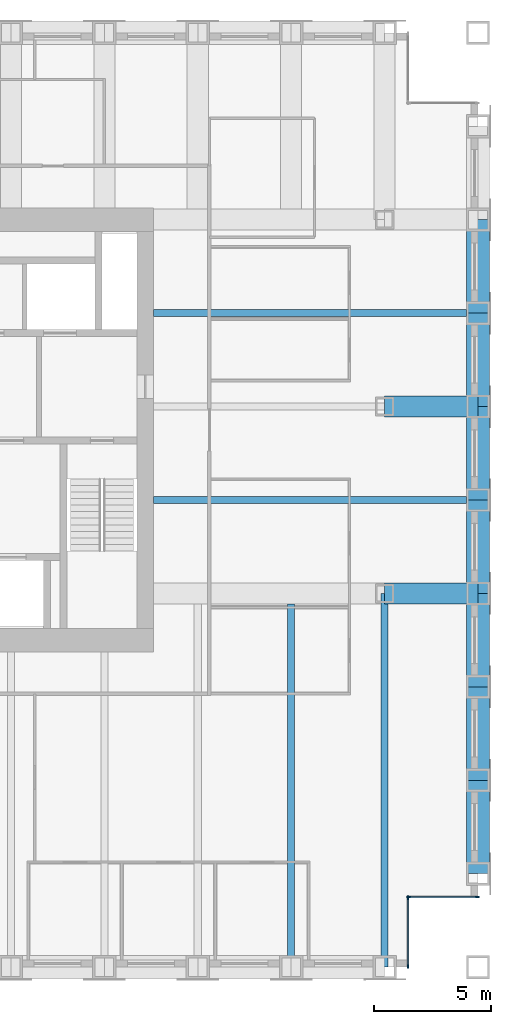
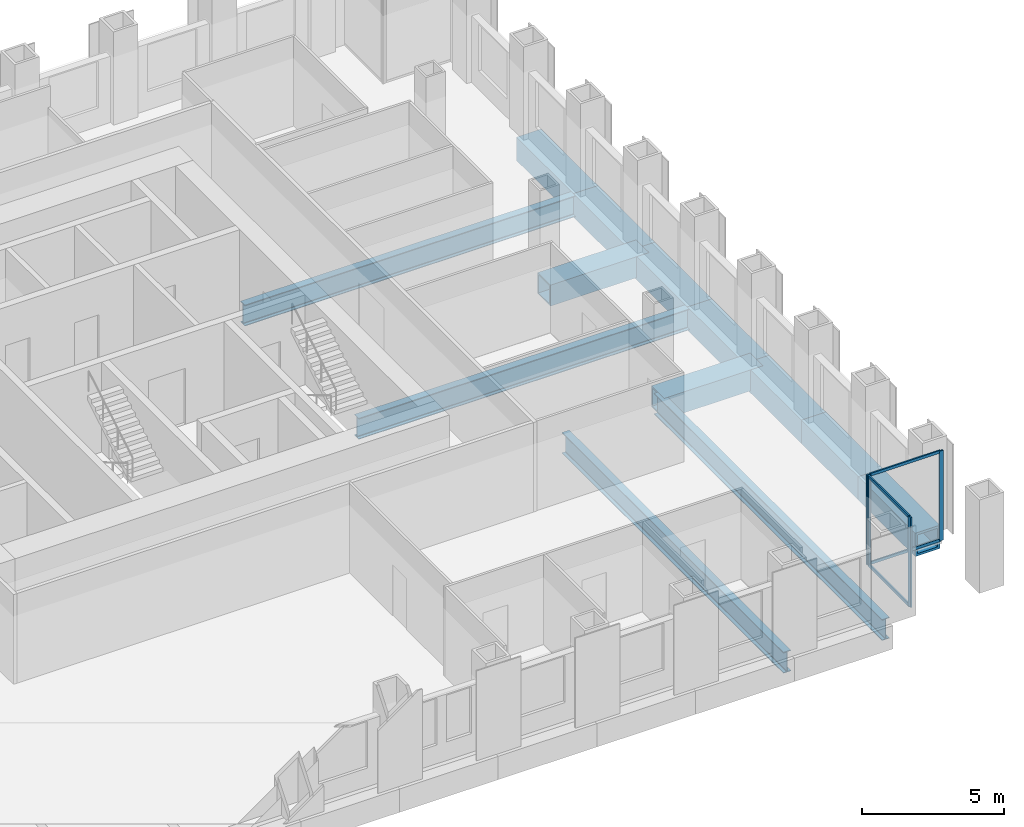
# One storey, part 4 of 11: 13 beams, 8 members, 2 elements without a shape of their own.
"""IFC4 building model written with IfcOpenShell, lengths in metres."""

from ifc_helpers import new_model, si_unit, direction, frame, origin, origin_2d, place, context, subcontext, project, spatial, rectangle, hollow_rectangle, i_section, extrude, material, material_profile, profile_set, type_object, element, aggregate, save


model = new_model("IFC4")

# Units and contexts
model_context = context("Model", 3, precision=1e-05, world=origin(), true_north=direction((0.0, 1.0)))
body_context = subcontext(model_context, "Body", "Model", "MODEL_VIEW")
ifc_project = project(units=[si_unit("LENGTHUNIT", "METRE"), si_unit("AREAUNIT", "SQUARE_METRE"), si_unit("VOLUMEUNIT", "CUBIC_METRE"), si_unit("PLANEANGLEUNIT", "RADIAN"), si_unit("MASSUNIT", "GRAM", prefix="KILO")], contexts=[model_context])

# Site, building, storey
site_placement = place(None, origin())
site = spatial("IfcSite", under=ifc_project, at=site_placement, CompositionType="ELEMENT")
building_placement = place(site_placement, origin())
building = spatial("IfcBuilding", under=site, at=building_placement, Name="Rimbunsela Tower", CompositionType="ELEMENT")
storey_placement = place(building_placement, frame((0.0, 0.0, 246.199951171875)))
storey = spatial("IfcBuildingStorey", under=building, at=storey_placement, Name="L59", CompositionType="ELEMENT", Elevation=246.199951171875)

# Beams
ifc_material_1 = material(Name="Steel BJ 55 (fy 410 MPa)", Category="steel")
ifc_material_profile_1 = material_profile(ifc_material_1, hollow_rectangle(XDim=1.0, YDim=1.0, WallThickness=0.10009765625, at=origin_2d()), Name="BOX 1000x1000x100")
ifc_profile_set_1 = profile_set([ifc_material_profile_1], Name="Steel BJ 55 (fy 410 MPa)")
beam_type_1 = type_object("IfcBeamType", Name="Beam BOX 1000x1000x100", PredefinedType="BEAM", material=ifc_profile_set_1)
for number, where, z_axis, x_axis, name in (
    (1, (50.0, 8.0, -0.64990234375), (0.0, 1.0, 0.0), (-1.0, 0.0, 0.0), "Beam B3 L59"),
    (2, (50.0, 12.0, -0.64990234375), (0.0, 1.0, 0.0), (-1.0, 0.0, 0.0), "Beam B3 L59"),
    (3, (50.0, 16.0, -0.64990234375), (0.0, 1.0, 0.0), (-1.0, 0.0, 0.0), "Beam B3 L59"),
    (4, (50.0, 20.0, -0.64990234375), (0.0, 1.0, 0.0), (-1.0, 0.0, 0.0), "Beam B3 L59"),
    (5, (50.0, 24.0, -0.64990234375), (0.0, 1.0, 0.0), (-1.0, 0.0, 0.0), "Beam B3 L59"),
    (6, (50.0, 28.0, -0.64990234375), (0.0, 1.0, 0.0), (-1.0, 0.0, 0.0), "Beam B3 L59"),
    (7, (50.0, 32.0, -0.64990234375), (0.0, 1.0, 0.0), (-1.0, 0.0, 0.0), "Beam B3 L59"),
):
    element("IfcBeam", number, at=place(storey_placement, frame(where, z_axis=z_axis, x_axis=x_axis)), inside=storey, type_object=beam_type_1, Name=name, PredefinedType="BEAM", context=body_context, shape_type="SweptSolid", body=[
        extrude(hollow_rectangle(XDim=1.0, YDim=1.0, WallThickness=0.10009765625, at=origin_2d()), origin(), (0.0, 0.0, 1.0), 4.0),
    ])
ifc_material_2 = material(Name="Steel BJ 55 (fy 410 MPa)", Category="steel")
ifc_material_profile_2 = material_profile(ifc_material_2, hollow_rectangle(XDim=0.89990234375, YDim=0.89990234375, WallThickness=0.06005859375, at=origin_2d()), Name="BOX 900x900x60")
ifc_profile_set_2 = profile_set([ifc_material_profile_2], Name="Steel BJ 55 (fy 410 MPa)")
beam_type_2 = type_object("IfcBeamType", Name="Beam BOX 900x900x60", PredefinedType="BEAM", material=ifc_profile_set_2)
for number, where, z_axis, x_axis, name in (
    (8, (46.0, 20.0, -0.599853515625), (1.0, 0.0, 0.0), (0.0, 1.0, 0.0), "Beam B1 L59"),
    (9, (46.0, 28.0, -0.599853515625), (1.0, 0.0, 0.0), (0.0, 1.0, 0.0), "Beam B1 L59"),
):
    element("IfcBeam", number, at=place(storey_placement, frame(where, z_axis=z_axis, x_axis=x_axis)), inside=storey, type_object=beam_type_2, Name=name, PredefinedType="BEAM", context=body_context, shape_type="SweptSolid", body=[
        extrude(hollow_rectangle(XDim=0.89990234375, YDim=0.89990234375, WallThickness=0.06005859375, at=origin_2d()), origin(), (0.0, 0.0, 1.0), 4.0),
    ])
ifc_material_3 = material(Name="Steel BJ 55 (fy 410 MPa)", Category="steel")
ifc_material_profile_3 = material_profile(ifc_material_3, i_section(OverallWidth=0.300048828125, OverallDepth=0.89990234375, WebThickness=0.01611328125, FlangeThickness=0.028076171875, FilletRadius=0.028076171875, at=origin_2d()), Name="H 900x300x16x28")
ifc_profile_set_3 = profile_set([ifc_material_profile_3], Name="Steel BJ 55 (fy 410 MPa)")
beam_type_3 = type_object("IfcBeamType", Name="Beam H 900x300x16x28", PredefinedType="BEAM", material=ifc_profile_set_3)
for number, where, z_axis, x_axis, name in (
    (10, (36.10009765625, 24.0, -0.599853515625), (1.0, 0.0, 0.0), (0.0, 1.0, 0.0), "Beam B2 L59"),
    (11, (36.10009765625, 32.0, -0.599853515625), (1.0, 0.0, 0.0), (0.0, 1.0, 0.0), "Beam B2 L59"),
):
    element("IfcBeam", number, at=place(storey_placement, frame(where, z_axis=z_axis, x_axis=x_axis)), inside=storey, type_object=beam_type_3, Name=name, PredefinedType="BEAM", context=body_context, shape_type="SweptSolid", body=[
        extrude(i_section(OverallWidth=0.300048828125, OverallDepth=0.89990234375, WebThickness=0.01611328125, FlangeThickness=0.028076171875, FilletRadius=0.028076171875, at=origin_2d()), origin(), (0.0, 0.0, 1.0), 13.89990234375),
    ])
beam_1_placement = place(storey_placement, frame((42.0, 4.0, -0.599853515625), z_axis=(0.0, 1.0, 0.0), x_axis=(-1.0, 0.0, 0.0)))
element("IfcBeam", 12, at=beam_1_placement, inside=storey, type_object=beam_type_3, Name="Beam B2 L59", PredefinedType="BEAM", context=body_context, shape_type="SweptSolid", body=[
    extrude(i_section(OverallWidth=0.300048828125, OverallDepth=0.89990234375, WebThickness=0.01611328125, FlangeThickness=0.028076171875, FilletRadius=0.028076171875, at=origin_2d()), origin(), (0.0, 0.0, 1.0), 15.550048828125),
])
beam_2_placement = place(storey_placement, frame((46.0, 4.0, -0.599853515625), z_axis=(0.0, 1.0, 0.0), x_axis=(-1.0, 0.0, 0.0)))
element("IfcBeam", 13, at=beam_2_placement, inside=storey, type_object=beam_type_3, Name="Beam B2 L59", PredefinedType="BEAM", context=body_context, shape_type="SweptSolid", body=[
    extrude(i_section(OverallWidth=0.300048828125, OverallDepth=0.89990234375, WebThickness=0.01611328125, FlangeThickness=0.028076171875, FilletRadius=0.028076171875, at=origin_2d()), origin(), (0.0, 0.0, 1.0), 16.0),
])

# Curtain wall, members
ifc_material_4 = material(Name="Aluminium curtain wall", Category="aluminium")
curtain_wall_type = type_object("IfcCurtainWallType", Name="Corner glazing", PredefinedType="USERDEFINED", material=ifc_material_4)
curtain_wall_1_placement = place(storey_placement, origin())
curtain_wall_1 = element("IfcCurtainWall", 14, at=curtain_wall_1_placement, inside=storey, type_object=curtain_wall_type, Name="Corner glazing L59", ObjectType="CORNER GLAZING", PredefinedType="USERDEFINED")
ifc_material_5 = material(Name="Aluminium mullion", Category="aluminium")
ifc_material_profile_4 = material_profile(ifc_material_5, rectangle(XDim=0.06005859375, YDim=0.159912109375, at=origin_2d()), Name="Mullion 60x160")
ifc_profile_set_4 = profile_set([ifc_material_profile_4], Name="Aluminium mullion")
member_type_1 = type_object("IfcMemberType", Name="Curtain wall mullion 60x160", PredefinedType="MULLION", material=ifc_profile_set_4)
member_1_placement = place(storey_placement, frame((47.0, 4.030029296875, 0.0), z_axis=(0.0, 0.0, 1.0), x_axis=(-1.0, 0.0, 0.0)))
member_1 = element("IfcMember", 15, at=member_1_placement, type_object=member_type_1, Name="CW5 mullion 1", PredefinedType="MULLION", context=body_context, shape_type="SweptSolid", body=[
    extrude(rectangle(XDim=0.06005859375, YDim=0.159912109375, at=origin_2d()), origin(), (0.0, 0.0, 1.0), 3.85009765625),
])
member_2_placement = place(storey_placement, frame((47.0, 6.969970703125, 0.0), z_axis=(0.0, 0.0, 1.0), x_axis=(-1.0, 0.0, 0.0)))
member_2 = element("IfcMember", 16, at=member_2_placement, type_object=member_type_1, Name="CW5 mullion 2", PredefinedType="MULLION", context=body_context, shape_type="SweptSolid", body=[
    extrude(rectangle(XDim=0.06005859375, YDim=0.159912109375, at=origin_2d()), origin(), (0.0, 0.0, 1.0), 3.85009765625),
])

curtain_wall_2_placement = place(storey_placement, origin())
curtain_wall_2 = element("IfcCurtainWall", 17, at=curtain_wall_2_placement, inside=storey, type_object=curtain_wall_type, Name="Corner glazing L59", ObjectType="CORNER GLAZING", PredefinedType="USERDEFINED")
member_3_placement = place(storey_placement, frame((47.030029296875, 7.0, 0.0), z_axis=(0.0, 0.0, 1.0), x_axis=(0.0, 1.0, 0.0)))
member_3 = element("IfcMember", 18, at=member_3_placement, type_object=member_type_1, Name="CW5 mullion 1", PredefinedType="MULLION", context=body_context, shape_type="SweptSolid", body=[
    extrude(rectangle(XDim=0.06005859375, YDim=0.159912109375, at=origin_2d()), origin(), (0.0, 0.0, 1.0), 3.85009765625),
])
member_4_placement = place(storey_placement, frame((49.969970703125, 7.0, 0.0), z_axis=(0.0, 0.0, 1.0), x_axis=(0.0, 1.0, 0.0)))
member_4 = element("IfcMember", 19, at=member_4_placement, type_object=member_type_1, Name="CW5 mullion 2", PredefinedType="MULLION", context=body_context, shape_type="SweptSolid", body=[
    extrude(rectangle(XDim=0.06005859375, YDim=0.159912109375, at=origin_2d()), origin(), (0.0, 0.0, 1.0), 3.85009765625),
])

# Member
ifc_material_6 = material(Name="Aluminium transom", Category="aluminium")
ifc_material_profile_5 = material_profile(ifc_material_6, rectangle(XDim=0.06005859375, YDim=0.1201171875, at=origin_2d()), Name="Transom 60x120")
ifc_profile_set_5 = profile_set([ifc_material_profile_5], Name="Aluminium transom")
member_type_2 = type_object("IfcMemberType", Name="Curtain wall transom 60x120", PredefinedType="USERDEFINED", material=ifc_profile_set_5)
member_5_placement = place(storey_placement, frame((47.0, 4.06005859375, 0.030029296875), z_axis=(0.0, 1.0, 0.0), x_axis=(-1.0, 0.0, 0.0)))
member_5 = element("IfcMember", 20, at=member_5_placement, type_object=member_type_2, Name="CW5 transom 1.1", ObjectType="TRANSOM", PredefinedType="USERDEFINED", context=body_context, shape_type="SweptSolid", body=[
    extrude(rectangle(XDim=0.06005859375, YDim=0.1201171875, at=origin_2d()), origin(), (0.0, 0.0, 1.0), 2.8798828125),
])

member_6_placement = place(storey_placement, frame((47.0, 4.06005859375, 3.820068359375), z_axis=(0.0, 1.0, 0.0), x_axis=(-1.0, 0.0, 0.0)))
member_6 = element("IfcMember", 21, at=member_6_placement, type_object=member_type_2, Name="CW5 transom 1.2", ObjectType="TRANSOM", PredefinedType="USERDEFINED", context=body_context, shape_type="SweptSolid", body=[
    extrude(rectangle(XDim=0.06005859375, YDim=0.1201171875, at=origin_2d()), origin(), (0.0, 0.0, 1.0), 2.8798828125),
])

aggregate(curtain_wall_1, [member_1, member_2, member_5, member_6])

member_7_placement = place(storey_placement, frame((47.06005859375, 7.0, 0.030029296875), z_axis=(1.0, 0.0, 0.0), x_axis=(0.0, 1.0, 0.0)))
member_7 = element("IfcMember", 22, at=member_7_placement, type_object=member_type_2, Name="CW5 transom 1.1", ObjectType="TRANSOM", PredefinedType="USERDEFINED", context=body_context, shape_type="SweptSolid", body=[
    extrude(rectangle(XDim=0.06005859375, YDim=0.1201171875, at=origin_2d()), origin(), (0.0, 0.0, 1.0), 2.8798828125),
])

member_8_placement = place(storey_placement, frame((47.06005859375, 7.0, 3.820068359375), z_axis=(1.0, 0.0, 0.0), x_axis=(0.0, 1.0, 0.0)))
member_8 = element("IfcMember", 23, at=member_8_placement, type_object=member_type_2, Name="CW5 transom 1.2", ObjectType="TRANSOM", PredefinedType="USERDEFINED", context=body_context, shape_type="SweptSolid", body=[
    extrude(rectangle(XDim=0.06005859375, YDim=0.1201171875, at=origin_2d()), origin(), (0.0, 0.0, 1.0), 2.8798828125),
])

aggregate(curtain_wall_2, [member_3, member_4, member_7, member_8])

save(model, "model.ifc")
